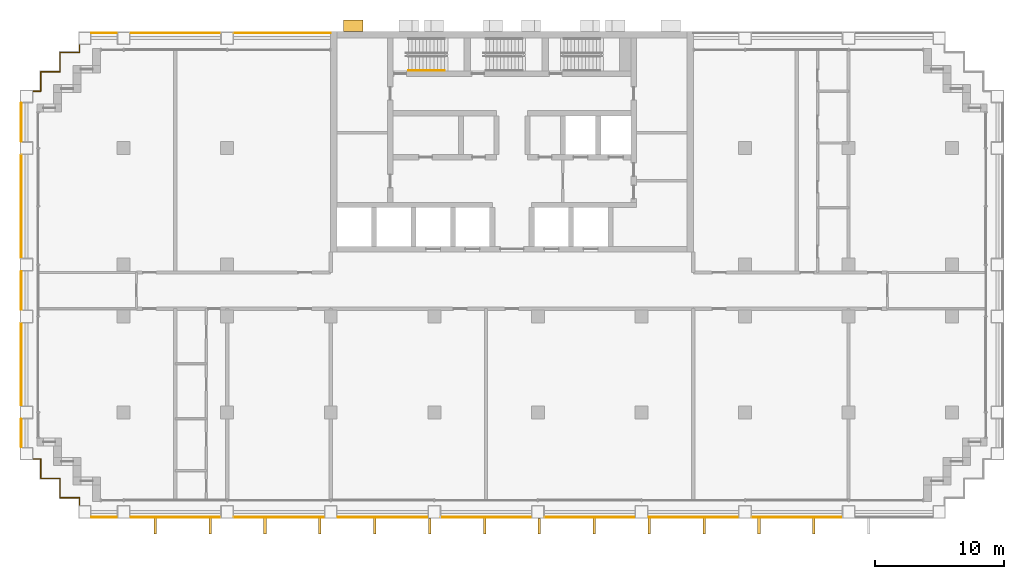
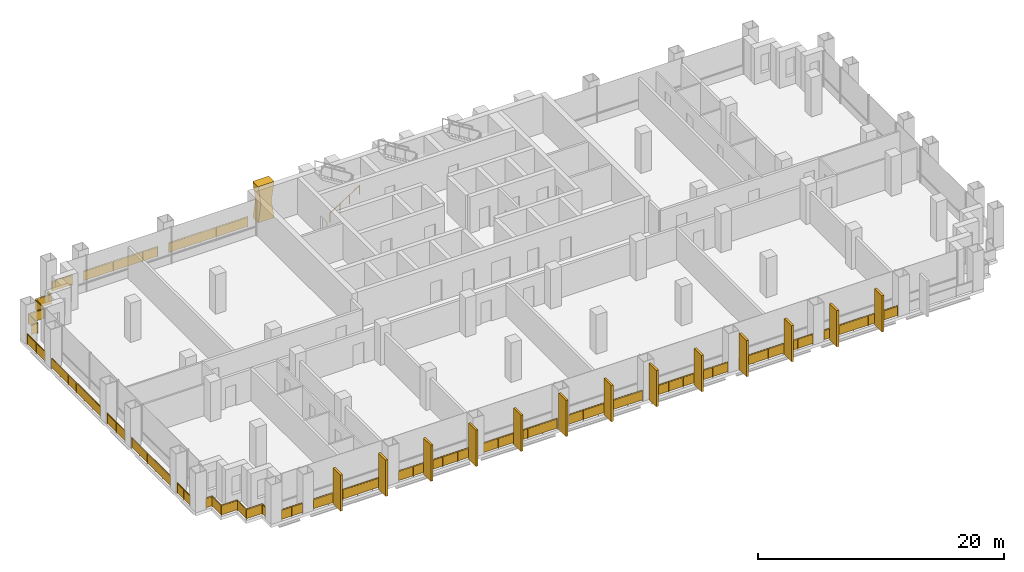
# One storey, part 11 of 13: 19 railings, 14 shading devices.
"""IFC4 building model written with IfcOpenShell, lengths in metres."""

import ifcopenshell
import ifcopenshell.guid

model = None  # the IFC model being written
_history = None  # IfcOwnerHistory: only IFC2X3 demands one
_inside = {}  # id of a spatial element -> (the spatial element, [elements in it])
_under = {}  # id of a project, library or spatial element -> (it, [spatial elements below it])
_declared = {}  # id of a project -> (the project, [libraries it declares])
_typed = {}  # id of a type object -> (the type object, [elements of that type])
_made_of = {}  # id of a material, layer set ... -> (it, [elements and type objects made of it])


def new_model(schema):
    """Start an empty IFC model of exactly this schema.

    Asked for "IFC4X3", IfcOpenShell would pick the latest addendum, in which some entities
    have other attributes; the version numbers below select the first issue.
    IFC2X3 requires an IfcOwnerHistory on every rooted entity: one is made here for all.
    """
    global model, _history
    if schema == "IFC4X3":
        model = ifcopenshell.file(schema_version=(4, 3, 0, 0))
    else:
        model = ifcopenshell.file(schema=schema)
    _inside.clear()
    _under.clear()
    _declared.clear()
    _typed.clear()
    _made_of.clear()
    _history = None
    if model.schema == "IFC2X3":
        org = make("IfcOrganization", Name="unknown")
        user = make(
            "IfcPersonAndOrganization",
            ThePerson=make("IfcPerson", FamilyName="unknown"),
            TheOrganization=org,
        )
        app = make(
            "IfcApplication",
            ApplicationDeveloper=org,
            Version="unknown",
            ApplicationFullName="unknown",
            ApplicationIdentifier="unknown",
        )
        _history = make(
            "IfcOwnerHistory",
            OwningUser=user,
            OwningApplication=app,
            ChangeAction="ADDED",
            CreationDate=0,
        )
    return model


def make(cls, **values):
    """One entity of the class cls with the attributes given. An attribute that is None is left unset."""
    return model.create_entity(
        cls, **{name: value for name, value in values.items() if value is not None}
    )


def rooted(cls, **values):
    """An entity with a GlobalId (a new one), such as an element, a storey or a relation."""
    return make(cls, GlobalId=ifcopenshell.guid.new(), OwnerHistory=_history, **values)


def si_unit(unit_type, name, prefix=None):
    """IfcSIUnit, for example si_unit("LENGTHUNIT", "METRE", prefix="MILLI")."""
    return make("IfcSIUnit", UnitType=unit_type, Prefix=prefix, Name=name)


def assignment(units):
    """IfcUnitAssignment: the units of a project."""
    return None if units is None else make("IfcUnitAssignment", Units=units)


def point(xyz):
    """IfcCartesianPoint."""
    return None if xyz is None else make("IfcCartesianPoint", Coordinates=xyz)


def direction(xyz):
    """IfcDirection."""
    return None if xyz is None else make("IfcDirection", DirectionRatios=xyz)


def frame(location, z_axis=None, x_axis=None):
    """IfcAxis2Placement3D, a coordinate frame: its origin and axes. An axis left out is left unset."""
    return make(
        "IfcAxis2Placement3D",
        Location=point(location),
        Axis=direction(z_axis),
        RefDirection=direction(x_axis),
    )


def frame_2d(location, x_axis=None):
    """IfcAxis2Placement2D, a coordinate frame in the plane: its origin and x axis."""
    return make(
        "IfcAxis2Placement2D", Location=point(location), RefDirection=direction(x_axis)
    )


def origin():
    """The frame at (0, 0, 0) with its axes left unset."""
    return frame((0.0, 0.0, 0.0))


def origin_2d():
    """The frame at (0, 0) in the plane with its x axis left unset."""
    return frame_2d((0.0, 0.0))


def place(relative_to, where):
    """IfcLocalPlacement: puts the frame where relative to a parent placement (None: the world)."""
    return make(
        "IfcLocalPlacement", PlacementRelTo=relative_to, RelativePlacement=where
    )


def context(
    kind, dimensions, precision=None, world=None, true_north=None, identifier=None
):
    """IfcGeometricRepresentationContext, for example the 3D "Model" context."""
    return make(
        "IfcGeometricRepresentationContext",
        ContextIdentifier=identifier,
        ContextType=kind,
        CoordinateSpaceDimension=dimensions,
        Precision=precision,
        WorldCoordinateSystem=world,
        TrueNorth=true_north,
    )


def subcontext(parent, identifier, kind, view, scale=None):
    """IfcGeometricRepresentationSubContext, for example "Body" below "Model"."""
    return make(
        "IfcGeometricRepresentationSubContext",
        ContextIdentifier=identifier,
        ContextType=kind,
        ParentContext=parent,
        TargetScale=scale,
        TargetView=view,
    )


def project(units=None, contexts=None):
    """IfcProject with its units and contexts."""
    return rooted(
        "IfcProject",
        Name="project",
        RepresentationContexts=contexts,
        UnitsInContext=assignment(units),
    )


def spatial(cls, under=None, at=None, **own):
    """A site, building, storey or space (cls), placed at a placement, below another one or the project."""
    s = rooted(cls, ObjectPlacement=at, **own)
    if under is not None:
        _under.setdefault(under.id(), (under, []))[1].append(s)
    return s


def polyline(points):
    """IfcPolyline through the points."""
    return make("IfcPolyline", Points=[point(p) for p in points])


def profile(cls, at=None, kind="AREA", **sizes):
    """A parametric profile (cls). Its sizes go by their IFC names, for example OverallWidth=200.0."""
    return make(cls, ProfileType=kind, Position=at, **sizes)


def rectangle(**sizes):
    """IfcRectangleProfileDef."""
    return profile("IfcRectangleProfileDef", **sizes)


def circle(**sizes):
    """IfcCircleProfileDef."""
    return profile("IfcCircleProfileDef", **sizes)


def outline(outer, holes=None, kind="AREA"):
    """IfcArbitraryClosedProfileDef: a profile drawn as a closed curve; with holes, ...WithVoids."""
    if holes is None:
        return make("IfcArbitraryClosedProfileDef", ProfileType=kind, OuterCurve=outer)
    return make(
        "IfcArbitraryProfileDefWithVoids",
        ProfileType=kind,
        OuterCurve=outer,
        InnerCurves=holes,
    )


def extrude(swept, where, along, depth):
    """IfcExtrudedAreaSolid: the profile swept, set in the frame where, extruded along a direction by depth."""
    return make(
        "IfcExtrudedAreaSolid",
        SweptArea=swept,
        Position=where,
        ExtrudedDirection=direction(along),
        Depth=depth,
    )


def shape(context_of_items, identifier, shape_type, items):
    """IfcShapeRepresentation: the items that make up one representation, for example the "Body"."""
    return make(
        "IfcShapeRepresentation",
        ContextOfItems=context_of_items,
        RepresentationIdentifier=identifier,
        RepresentationType=shape_type,
        Items=items,
    )


def material(Name=None, Category=None):
    """IfcMaterial."""
    return make("IfcMaterial", Name=Name, Category=Category)


def layer(
    of_material, thickness, ventilated=None, Name=None, Category=None, Priority=None
):
    """IfcMaterialLayer: one layer of a wall or slab, of a material (None: an air gap)."""
    return make(
        "IfcMaterialLayer",
        Material=of_material,
        LayerThickness=thickness,
        IsVentilated=ventilated,
        Name=Name,
        Category=Category,
        Priority=Priority,
    )


def layer_set(layers, Name=None):
    """IfcMaterialLayerSet."""
    return make("IfcMaterialLayerSet", MaterialLayers=layers, LayerSetName=Name)


def made_of(thing, what):
    """Note that an element or type object is made of a material, layer set ...; save() writes the relation."""
    if what is not None:
        _made_of.setdefault(what.id(), (what, []))[1].append(thing)
    return thing


def type_object(cls, material=None, **own):
    """A type object (cls), such as IfcWallType, which elements share."""
    return made_of(rooted(cls, **own), material)


def element(
    cls,
    number,
    at=None,
    inside=None,
    cuts=None,
    type_object=None,
    material=None,
    context=None,
    identifier="Body",
    shape_type=None,
    held_by="IfcProductDefinitionShape",
    body=None,
    shapes=None,
    **own,
):
    """One element of the class cls, such as IfcWall. Its Tag is "e" and its number.

    at: its placement. inside: the storey or other place that contains it. cuts: it is an
    opening in that element (IfcRelVoidsElement). A single representation is given by context,
    identifier, shape_type and body (its items); several are given by shapes. held_by: the class
    of the entity that holds the representations. save() writes the other relations.
    """
    e = rooted(cls, Tag="e%d" % number, ObjectPlacement=at, **own)
    if body is not None:
        shapes = [shape(context, identifier, shape_type, body)]
    if shapes is not None:
        e.Representation = make(held_by, Representations=shapes)
    if inside is not None:
        _inside.setdefault(inside.id(), (inside, []))[1].append(e)
    if cuts is not None:
        rooted(
            "IfcRelVoidsElement", RelatingBuildingElement=cuts, RelatedOpeningElement=e
        )
    if type_object is not None:
        _typed.setdefault(type_object.id(), (type_object, []))[1].append(e)
    return made_of(e, material)


def aggregate(whole, parts):
    """IfcRelAggregates: a whole, such as a stair, and the parts it consists of."""
    return rooted("IfcRelAggregates", RelatingObject=whole, RelatedObjects=parts)


def save(model, path):
    """Write the relations noted so far, then the file.

    IfcRelAggregates (storeys below a building ...), IfcRelContainedInSpatialStructure (elements
    in a storey), IfcRelDefinesByType, IfcRelAssociatesMaterial and IfcRelDeclares: one each for
    every whole, place, type object, material and project.
    """
    for whole, parts in _under.values():
        aggregate(whole, parts)
    for where, things in _inside.values():
        rooted(
            "IfcRelContainedInSpatialStructure",
            RelatedElements=things,
            RelatingStructure=where,
        )
    for kind, things in _typed.values():
        rooted("IfcRelDefinesByType", RelatedObjects=things, RelatingType=kind)
    for what, things in _made_of.values():
        rooted("IfcRelAssociatesMaterial", RelatedObjects=things, RelatingMaterial=what)
    for by, libraries in _declared.values():
        rooted("IfcRelDeclares", RelatingContext=by, RelatedDefinitions=libraries)
    model.write(path)


model = new_model("IFC4")

# Units and contexts
model_context = context("Model", 3, precision=1e-05, world=origin(), true_north=direction((0.0, 1.0)))
body_context = subcontext(model_context, "Body", "Model", "MODEL_VIEW")
ifc_project = project(units=[si_unit("LENGTHUNIT", "METRE"), si_unit("AREAUNIT", "SQUARE_METRE"), si_unit("VOLUMEUNIT", "CUBIC_METRE"), si_unit("PLANEANGLEUNIT", "RADIAN"), si_unit("MASSUNIT", "GRAM", prefix="KILO")], contexts=[model_context])

# Site, building, storey
site_placement = place(None, origin())
site = spatial("IfcSite", under=ifc_project, at=site_placement, CompositionType="ELEMENT")
building_placement = place(site_placement, origin())
building = spatial("IfcBuilding", under=site, at=building_placement, Name="Vidyagriha Tower", CompositionType="ELEMENT")
storey_placement = place(building_placement, frame((0.0, 0.0, 33.800048828125)))
storey = spatial("IfcBuildingStorey", under=building, at=storey_placement, Name="L08", CompositionType="ELEMENT", Elevation=33.800048828125)

# Shading devices
ifc_material_1 = material(Name="Precast concrete C40/50 with brick facing", Category="concrete")
ifc_layer_1 = layer(ifc_material_1, 1.0)
ifc_layer_set_1 = layer_set([ifc_layer_1], Name="Precast concrete C40/50 with brick facing")
shading_device_type_1 = type_object("IfcShadingDeviceType", Name="Brick-faced rear rib forking 8 degrees", PredefinedType="USERDEFINED", material=ifc_layer_set_1)
shading_device_placement = place(storey_placement, frame((-11.5, 20.449951171875, 0.0), z_axis=(0.0, 0.0, 1.0), x_axis=(-1.0, 0.0, 0.0)))
element("IfcShadingDevice", 1, at=shading_device_placement, inside=storey, type_object=shading_device_type_1, Name="Rear rib fork L08 R08.5a", ObjectType="BLADE FIN", PredefinedType="USERDEFINED", context=body_context, shape_type="SweptSolid", body=[
    extrude(outline(polyline([(0.0, 0.0), (1.5, 0.0), (1.25, 1.800048828125), (1.5, 3.599853515625), (0.0, 3.599853515625), (0.25, 1.800048828125), (0.0, 0.0)])), frame((0.0, 0.449951171875, 0.0), z_axis=(0.0, -1.0, 0.0), x_axis=(1.0, 0.0, 0.0)), (0.0, 0.0, 1.0), 0.89990234375),
])
ifc_material_2 = material(Name="Precast concrete C40/50 with brick facing", Category="concrete")
ifc_layer_2 = layer(ifc_material_2, 0.199951171875)
ifc_layer_set_2 = layer_set([ifc_layer_2], Name="Precast concrete C40/50 with brick facing")
shading_device_type_2 = type_object("IfcShadingDeviceType", Name="Brick-faced solar fin 1200", PredefinedType="USERDEFINED", material=ifc_layer_set_2)
for number, where, z_axis, x_axis, name in (
    (2, (-27.56005859375, -17.60009765625, 0.0), (0.0, 0.0, 1.0), (0.0, -1.0, 0.0), "Solar fin L08 R23.1"),
    (3, (-23.320068359375, -17.60009765625, 0.0), (0.0, 0.0, 1.0), (0.0, -1.0, 0.0), "Solar fin L08 R23.2"),
    (4, (-19.080078125, -17.60009765625, 0.0), (0.0, 0.0, 1.0), (0.0, -1.0, 0.0), "Solar fin L08 R23.3"),
    (5, (-14.840087890625, -17.60009765625, 0.0), (0.0, 0.0, 1.0), (0.0, -1.0, 0.0), "Solar fin L08 R23.4"),
    (6, (-10.60009765625, -17.60009765625, 0.0), (0.0, 0.0, 1.0), (0.0, -1.0, 0.0), "Solar fin L08 R23.5"),
    (7, (-6.360107421875, -17.60009765625, 0.0), (0.0, 0.0, 1.0), (0.0, -1.0, 0.0), "Solar fin L08 R23.6"),
    (8, (-2.1201171875, -17.60009765625, 0.0), (0.0, 0.0, 1.0), (0.0, -1.0, 0.0), "Solar fin L08 R23.7"),
    (9, (2.1201171875, -17.60009765625, 0.0), (0.0, 0.0, 1.0), (0.0, -1.0, 0.0), "Solar fin L08 R23.8"),
    (10, (6.360107421875, -17.60009765625, 0.0), (0.0, 0.0, 1.0), (0.0, -1.0, 0.0), "Solar fin L08 R23.9"),
    (11, (10.60009765625, -17.60009765625, 0.0), (0.0, 0.0, 1.0), (0.0, -1.0, 0.0), "Solar fin L08 R23.10"),
    (12, (14.840087890625, -17.60009765625, 0.0), (0.0, 0.0, 1.0), (0.0, -1.0, 0.0), "Solar fin L08 R23.11"),
    (13, (19.080078125, -17.60009765625, 0.0), (0.0, 0.0, 1.0), (0.0, -1.0, 0.0), "Solar fin L08 R23.12"),
    (14, (23.320068359375, -17.60009765625, 0.0), (0.0, 0.0, 1.0), (0.0, -1.0, 0.0), "Solar fin L08 R23.13"),
):
    element("IfcShadingDevice", number, at=place(storey_placement, frame(where, z_axis=z_axis, x_axis=x_axis)), inside=storey, type_object=shading_device_type_2, Name=name, ObjectType="SOLAR FIN", PredefinedType="USERDEFINED", context=body_context, shape_type="SweptSolid", body=[
        extrude(rectangle(XDim=1.199951171875, YDim=0.199951171875, at=frame_2d((0.60009765625, 0.0))), origin(), (0.0, 0.0, 1.0), 3.599853515625),
    ])

# Railings
ifc_material_3 = material(Name="Steel ASTM A500 Grade C black painted", Category="steel")
railing_type_1 = type_object("IfcRailingType", Name="Gallery guard 1100", PredefinedType="GUARDRAIL", material=ifc_material_3)
railing_1_placement = place(storey_placement, frame((-37.89990234375, -12.070068359375, 0.0)))
element("IfcRailing", 15, at=railing_1_placement, inside=storey, type_object=railing_type_1, Name="Gallery guard L08 1", PredefinedType="GUARDRAIL", context=body_context, shape_type="SweptSolid", body=[
    extrude(circle(Radius=0.02490234375, at=origin_2d()), frame((0.0, 0.0, 1.0751953125), z_axis=(0.0, 1.0, 0.0), x_axis=(-1.0, 0.0, 0.0)), (0.0, 0.0, 1.0), 2.14013671875),
    extrude(circle(Radius=0.02001953125, at=origin_2d()), origin(), (0.0, 0.0, 1.0), 1.050048828125),
    extrude(circle(Radius=0.02001953125, at=origin_2d()), frame((0.0, 1.070068359375, 0.0)), (0.0, 0.0, 1.0), 1.050048828125),
    extrude(circle(Radius=0.02001953125, at=origin_2d()), frame((0.0, 2.14013671875, 0.0)), (0.0, 0.0, 1.0), 1.050048828125),
    extrude(rectangle(XDim=0.010009765625, YDim=0.900146484375, at=origin_2d()), frame((0.0, 0.0, 0.550048828125), z_axis=(0.0, 1.0, 0.0), x_axis=(-1.0, 0.0, 0.0)), (0.0, 0.0, 1.0), 2.14013671875),
])
railing_2_placement = place(storey_placement, frame((-37.89990234375, -8.8701171875, 0.0)))
element("IfcRailing", 16, at=railing_2_placement, inside=storey, type_object=railing_type_1, Name="Gallery guard L08 2", PredefinedType="GUARDRAIL", context=body_context, shape_type="SweptSolid", body=[
    extrude(circle(Radius=0.02490234375, at=origin_2d()), frame((0.0, 0.0, 1.0751953125), z_axis=(0.0, 1.0, 0.0), x_axis=(-1.0, 0.0, 0.0)), (0.0, 0.0, 1.0), 6.340087890625),
    extrude(circle(Radius=0.02001953125, at=origin_2d()), origin(), (0.0, 0.0, 1.0), 1.050048828125),
    extrude(circle(Radius=0.02001953125, at=origin_2d()), frame((0.0, 1.26806640625, 0.0)), (0.0, 0.0, 1.0), 1.050048828125),
    extrude(circle(Radius=0.02001953125, at=origin_2d()), frame((0.0, 2.5361328125, 0.0)), (0.0, 0.0, 1.0), 1.050048828125),
    extrude(circle(Radius=0.02001953125, at=origin_2d()), frame((0.0, 3.803955078125, 0.0)), (0.0, 0.0, 1.0), 1.050048828125),
    extrude(circle(Radius=0.02001953125, at=origin_2d()), frame((0.0, 5.072021484375, 0.0)), (0.0, 0.0, 1.0), 1.050048828125),
    extrude(circle(Radius=0.02001953125, at=origin_2d()), frame((0.0, 6.340087890625, 0.0)), (0.0, 0.0, 1.0), 1.050048828125),
    extrude(rectangle(XDim=0.010009765625, YDim=0.900146484375, at=origin_2d()), frame((0.0, 0.0, 0.550048828125), z_axis=(0.0, 1.0, 0.0), x_axis=(-1.0, 0.0, 0.0)), (0.0, 0.0, 1.0), 6.340087890625),
])
railing_3_placement = place(storey_placement, frame((-37.89990234375, -1.469970703125, 0.0)))
element("IfcRailing", 17, at=railing_3_placement, inside=storey, type_object=railing_type_1, Name="Gallery guard L08 3", PredefinedType="GUARDRAIL", context=body_context, shape_type="SweptSolid", body=[
    extrude(circle(Radius=0.02490234375, at=origin_2d()), frame((0.0, 0.0, 1.0751953125), z_axis=(0.0, 1.0, 0.0), x_axis=(-1.0, 0.0, 0.0)), (0.0, 0.0, 1.0), 2.93994140625),
    extrude(circle(Radius=0.02001953125, at=origin_2d()), origin(), (0.0, 0.0, 1.0), 1.050048828125),
    extrude(circle(Radius=0.02001953125, at=origin_2d()), frame((0.0, 1.469970703125, 0.0)), (0.0, 0.0, 1.0), 1.050048828125),
    extrude(circle(Radius=0.02001953125, at=origin_2d()), frame((0.0, 2.93994140625, 0.0)), (0.0, 0.0, 1.0), 1.050048828125),
    extrude(rectangle(XDim=0.010009765625, YDim=0.900146484375, at=origin_2d()), frame((0.0, 0.0, 0.550048828125), z_axis=(0.0, 1.0, 0.0), x_axis=(-1.0, 0.0, 0.0)), (0.0, 0.0, 1.0), 2.93994140625),
])
railing_4_placement = place(storey_placement, frame((-37.89990234375, 2.530029296875, 0.0)))
element("IfcRailing", 18, at=railing_4_placement, inside=storey, type_object=railing_type_1, Name="Gallery guard L08 4", PredefinedType="GUARDRAIL", context=body_context, shape_type="SweptSolid", body=[
    extrude(circle(Radius=0.02490234375, at=origin_2d()), frame((0.0, 0.0, 1.0751953125), z_axis=(0.0, 1.0, 0.0), x_axis=(-1.0, 0.0, 0.0)), (0.0, 0.0, 1.0), 7.93994140625),
    extrude(circle(Radius=0.02001953125, at=origin_2d()), origin(), (0.0, 0.0, 1.0), 1.050048828125),
    extrude(circle(Radius=0.02001953125, at=origin_2d()), frame((0.0, 1.3232421875, 0.0)), (0.0, 0.0, 1.0), 1.050048828125),
    extrude(circle(Radius=0.02001953125, at=origin_2d()), frame((0.0, 2.646728515625, 0.0)), (0.0, 0.0, 1.0), 1.050048828125),
    extrude(circle(Radius=0.02001953125, at=origin_2d()), frame((0.0, 3.969970703125, 0.0)), (0.0, 0.0, 1.0), 1.050048828125),
    extrude(circle(Radius=0.02001953125, at=origin_2d()), frame((0.0, 5.293212890625, 0.0)), (0.0, 0.0, 1.0), 1.050048828125),
    extrude(circle(Radius=0.02001953125, at=origin_2d()), frame((0.0, 6.61669921875, 0.0)), (0.0, 0.0, 1.0), 1.050048828125),
    extrude(circle(Radius=0.02001953125, at=origin_2d()), frame((0.0, 7.93994140625, 0.0)), (0.0, 0.0, 1.0), 1.050048828125),
    extrude(rectangle(XDim=0.010009765625, YDim=0.900146484375, at=origin_2d()), frame((0.0, 0.0, 0.550048828125), z_axis=(0.0, 1.0, 0.0), x_axis=(-1.0, 0.0, 0.0)), (0.0, 0.0, 1.0), 7.93994140625),
])
railing_5_placement = place(storey_placement, frame((-37.89990234375, 11.530029296875, 0.0)))
element("IfcRailing", 19, at=railing_5_placement, inside=storey, type_object=railing_type_1, Name="Gallery guard L08 5", PredefinedType="GUARDRAIL", context=body_context, shape_type="SweptSolid", body=[
    extrude(circle(Radius=0.02490234375, at=origin_2d()), frame((0.0, 0.0, 1.0751953125), z_axis=(0.0, 1.0, 0.0), x_axis=(-1.0, 0.0, 0.0)), (0.0, 0.0, 1.0), 2.93994140625),
    extrude(circle(Radius=0.02001953125, at=origin_2d()), origin(), (0.0, 0.0, 1.0), 1.050048828125),
    extrude(circle(Radius=0.02001953125, at=origin_2d()), frame((0.0, 1.469970703125, 0.0)), (0.0, 0.0, 1.0), 1.050048828125),
    extrude(circle(Radius=0.02001953125, at=origin_2d()), frame((0.0, 2.93994140625, 0.0)), (0.0, 0.0, 1.0), 1.050048828125),
    extrude(rectangle(XDim=0.010009765625, YDim=0.900146484375, at=origin_2d()), frame((0.0, 0.0, 0.550048828125), z_axis=(0.0, 1.0, 0.0), x_axis=(-1.0, 0.0, 0.0)), (0.0, 0.0, 1.0), 2.93994140625),
])
railing_6_placement = place(storey_placement, frame((-33.39990234375, -16.570068359375, 0.0)))
element("IfcRailing", 20, at=railing_6_placement, inside=storey, type_object=railing_type_1, Name="Gallery guard L08 6", PredefinedType="GUARDRAIL", context=body_context, shape_type="SweptSolid", body=[
    extrude(circle(Radius=0.02490234375, at=origin_2d()), frame((0.0, 0.0, 1.0751953125), z_axis=(0.0, 1.0, 0.0), x_axis=(-1.0, 0.0, 0.0)), (0.0, 0.0, 1.0), 0.570068359375),
    extrude(circle(Radius=0.02490234375, at=origin_2d()), frame((0.0, 0.570068359375, 1.0751953125), z_axis=(-1.0, 0.0, 0.0), x_axis=(0.0, -1.0, 0.0)), (0.0, 0.0, 1.0), 1.5),
    extrude(circle(Radius=0.02490234375, at=origin_2d()), frame((-1.5, 0.570068359375, 1.0751953125), z_axis=(0.0, 1.0, 0.0), x_axis=(-1.0, 0.0, 0.0)), (0.0, 0.0, 1.0), 1.5),
    extrude(circle(Radius=0.02490234375, at=origin_2d()), frame((-1.5, 2.070068359375, 1.0751953125), z_axis=(-1.0, 0.0, 0.0), x_axis=(0.0, -1.0, 0.0)), (0.0, 0.0, 1.0), 1.5),
    extrude(circle(Radius=0.02490234375, at=origin_2d()), frame((-3.0, 2.070068359375, 1.0751953125), z_axis=(0.0, 1.0, 0.0), x_axis=(-1.0, 0.0, 0.0)), (0.0, 0.0, 1.0), 1.5),
    extrude(circle(Radius=0.02490234375, at=origin_2d()), frame((-3.0, 3.570068359375, 1.0751953125), z_axis=(-1.0, 0.0, 0.0), x_axis=(0.0, -1.0, 0.0)), (0.0, 0.0, 1.0), 0.570068359375),
    extrude(circle(Radius=0.02001953125, at=origin_2d()), origin(), (0.0, 0.0, 1.0), 1.050048828125),
    extrude(circle(Radius=0.02001953125, at=origin_2d()), frame((0.0, 0.570068359375, 0.0)), (0.0, 0.0, 1.0), 1.050048828125),
    extrude(circle(Radius=0.02001953125, at=origin_2d()), frame((-1.5, 0.570068359375, 0.0)), (0.0, 0.0, 1.0), 1.050048828125),
    extrude(circle(Radius=0.02001953125, at=origin_2d()), frame((-1.5, 2.070068359375, 0.0)), (0.0, 0.0, 1.0), 1.050048828125),
    extrude(circle(Radius=0.02001953125, at=origin_2d()), frame((-3.0, 2.070068359375, 0.0)), (0.0, 0.0, 1.0), 1.050048828125),
    extrude(circle(Radius=0.02001953125, at=origin_2d()), frame((-3.0, 3.570068359375, 0.0)), (0.0, 0.0, 1.0), 1.050048828125),
    extrude(circle(Radius=0.02001953125, at=origin_2d()), frame((-3.570068359375, 3.570068359375, 0.0)), (0.0, 0.0, 1.0), 1.050048828125),
    extrude(rectangle(XDim=0.010009765625, YDim=0.900146484375, at=origin_2d()), frame((0.0, 0.0, 0.550048828125), z_axis=(0.0, 1.0, 0.0), x_axis=(-1.0, 0.0, 0.0)), (0.0, 0.0, 1.0), 0.570068359375),
    extrude(rectangle(XDim=0.010009765625, YDim=0.900146484375, at=origin_2d()), frame((0.0, 0.570068359375, 0.550048828125), z_axis=(-1.0, 0.0, 0.0), x_axis=(0.0, -1.0, 0.0)), (0.0, 0.0, 1.0), 1.5),
    extrude(rectangle(XDim=0.010009765625, YDim=0.900146484375, at=origin_2d()), frame((-1.5, 0.570068359375, 0.550048828125), z_axis=(0.0, 1.0, 0.0), x_axis=(-1.0, 0.0, 0.0)), (0.0, 0.0, 1.0), 1.5),
    extrude(rectangle(XDim=0.010009765625, YDim=0.900146484375, at=origin_2d()), frame((-1.5, 2.070068359375, 0.550048828125), z_axis=(-1.0, 0.0, 0.0), x_axis=(0.0, -1.0, 0.0)), (0.0, 0.0, 1.0), 1.5),
    extrude(rectangle(XDim=0.010009765625, YDim=0.900146484375, at=origin_2d()), frame((-3.0, 2.070068359375, 0.550048828125), z_axis=(0.0, 1.0, 0.0), x_axis=(-1.0, 0.0, 0.0)), (0.0, 0.0, 1.0), 1.5),
    extrude(rectangle(XDim=0.010009765625, YDim=0.900146484375, at=origin_2d()), frame((-3.0, 3.570068359375, 0.550048828125), z_axis=(-1.0, 0.0, 0.0), x_axis=(0.0, -1.0, 0.0)), (0.0, 0.0, 1.0), 0.570068359375),
])
railing_7_placement = place(storey_placement, frame((-36.969970703125, 15.39990234375, 0.0)))
element("IfcRailing", 21, at=railing_7_placement, inside=storey, type_object=railing_type_1, Name="Gallery guard L08 7", PredefinedType="GUARDRAIL", context=body_context, shape_type="SweptSolid", body=[
    extrude(circle(Radius=0.02490234375, at=origin_2d()), frame((0.0, 0.0, 1.0751953125), z_axis=(1.0, 0.0, 0.0), x_axis=(0.0, 1.0, 0.0)), (0.0, 0.0, 1.0), 0.570068359375),
    extrude(circle(Radius=0.02490234375, at=origin_2d()), frame((0.570068359375, 0.0, 1.0751953125), z_axis=(0.0, 1.0, 0.0), x_axis=(-1.0, 0.0, 0.0)), (0.0, 0.0, 1.0), 1.5),
    extrude(circle(Radius=0.02490234375, at=origin_2d()), frame((0.570068359375, 1.5, 1.0751953125), z_axis=(1.0, 0.0, 0.0), x_axis=(0.0, 1.0, 0.0)), (0.0, 0.0, 1.0), 1.5),
    extrude(circle(Radius=0.02490234375, at=origin_2d()), frame((2.070068359375, 1.5, 1.0751953125), z_axis=(0.0, 1.0, 0.0), x_axis=(-1.0, 0.0, 0.0)), (0.0, 0.0, 1.0), 1.5),
    extrude(circle(Radius=0.02490234375, at=origin_2d()), frame((2.070068359375, 3.0, 1.0751953125), z_axis=(1.0, 0.0, 0.0), x_axis=(0.0, 1.0, 0.0)), (0.0, 0.0, 1.0), 1.5),
    extrude(circle(Radius=0.02490234375, at=origin_2d()), frame((3.570068359375, 3.0, 1.0751953125), z_axis=(0.0, 1.0, 0.0), x_axis=(-1.0, 0.0, 0.0)), (0.0, 0.0, 1.0), 0.570068359375),
    extrude(circle(Radius=0.02001953125, at=origin_2d()), origin(), (0.0, 0.0, 1.0), 1.050048828125),
    extrude(circle(Radius=0.02001953125, at=origin_2d()), frame((0.570068359375, 0.0, 0.0)), (0.0, 0.0, 1.0), 1.050048828125),
    extrude(circle(Radius=0.02001953125, at=origin_2d()), frame((0.570068359375, 1.5, 0.0)), (0.0, 0.0, 1.0), 1.050048828125),
    extrude(circle(Radius=0.02001953125, at=origin_2d()), frame((2.070068359375, 1.5, 0.0)), (0.0, 0.0, 1.0), 1.050048828125),
    extrude(circle(Radius=0.02001953125, at=origin_2d()), frame((2.070068359375, 3.0, 0.0)), (0.0, 0.0, 1.0), 1.050048828125),
    extrude(circle(Radius=0.02001953125, at=origin_2d()), frame((3.570068359375, 3.0, 0.0)), (0.0, 0.0, 1.0), 1.050048828125),
    extrude(circle(Radius=0.02001953125, at=origin_2d()), frame((3.570068359375, 3.570068359375, 0.0)), (0.0, 0.0, 1.0), 1.050048828125),
    extrude(rectangle(XDim=0.010009765625, YDim=0.900146484375, at=origin_2d()), frame((0.0, 0.0, 0.550048828125), z_axis=(1.0, 0.0, 0.0), x_axis=(0.0, 1.0, 0.0)), (0.0, 0.0, 1.0), 0.570068359375),
    extrude(rectangle(XDim=0.010009765625, YDim=0.900146484375, at=origin_2d()), frame((0.570068359375, 0.0, 0.550048828125), z_axis=(0.0, 1.0, 0.0), x_axis=(-1.0, 0.0, 0.0)), (0.0, 0.0, 1.0), 1.5),
    extrude(rectangle(XDim=0.010009765625, YDim=0.900146484375, at=origin_2d()), frame((0.570068359375, 1.5, 0.550048828125), z_axis=(1.0, 0.0, 0.0), x_axis=(0.0, 1.0, 0.0)), (0.0, 0.0, 1.0), 1.5),
    extrude(rectangle(XDim=0.010009765625, YDim=0.900146484375, at=origin_2d()), frame((2.070068359375, 1.5, 0.550048828125), z_axis=(0.0, 1.0, 0.0), x_axis=(-1.0, 0.0, 0.0)), (0.0, 0.0, 1.0), 1.5),
    extrude(rectangle(XDim=0.010009765625, YDim=0.900146484375, at=origin_2d()), frame((2.070068359375, 3.0, 0.550048828125), z_axis=(1.0, 0.0, 0.0), x_axis=(0.0, 1.0, 0.0)), (0.0, 0.0, 1.0), 1.5),
    extrude(rectangle(XDim=0.010009765625, YDim=0.900146484375, at=origin_2d()), frame((3.570068359375, 3.0, 0.550048828125), z_axis=(0.0, 1.0, 0.0), x_axis=(-1.0, 0.0, 0.0)), (0.0, 0.0, 1.0), 0.570068359375),
])
railing_8_placement = place(storey_placement, frame((-30.530029296875, -17.5, 0.0)))
element("IfcRailing", 22, at=railing_8_placement, inside=storey, type_object=railing_type_1, Name="Gallery guard L08 8", PredefinedType="GUARDRAIL", context=body_context, shape_type="SweptSolid", body=[
    extrude(circle(Radius=0.02490234375, at=origin_2d()), frame((0.0, 0.0, 1.0751953125), z_axis=(-1.0, 0.0, 0.0), x_axis=(0.0, -1.0, 0.0)), (0.0, 0.0, 1.0), 1.93994140625),
    extrude(circle(Radius=0.02001953125, at=origin_2d()), origin(), (0.0, 0.0, 1.0), 1.050048828125),
    extrude(circle(Radius=0.02001953125, at=origin_2d()), frame((-0.969970703125, 0.0, 0.0)), (0.0, 0.0, 1.0), 1.050048828125),
    extrude(circle(Radius=0.02001953125, at=origin_2d()), frame((-1.93994140625, 0.0, 0.0)), (0.0, 0.0, 1.0), 1.050048828125),
    extrude(rectangle(XDim=0.010009765625, YDim=0.900146484375, at=origin_2d()), frame((0.0, 0.0, 0.550048828125), z_axis=(-1.0, 0.0, 0.0), x_axis=(0.0, -1.0, 0.0)), (0.0, 0.0, 1.0), 1.93994140625),
])
railing_9_placement = place(storey_placement, frame((-32.469970703125, 19.89990234375, 0.0)))
element("IfcRailing", 23, at=railing_9_placement, inside=storey, type_object=railing_type_1, Name="Gallery guard L08 9", PredefinedType="GUARDRAIL", context=body_context, shape_type="SweptSolid", body=[
    extrude(circle(Radius=0.02490234375, at=origin_2d()), frame((0.0, 0.0, 1.0751953125), z_axis=(1.0, 0.0, 0.0), x_axis=(0.0, 1.0, 0.0)), (0.0, 0.0, 1.0), 1.93994140625),
    extrude(circle(Radius=0.02001953125, at=origin_2d()), origin(), (0.0, 0.0, 1.0), 1.050048828125),
    extrude(circle(Radius=0.02001953125, at=origin_2d()), frame((0.969970703125, 0.0, 0.0)), (0.0, 0.0, 1.0), 1.050048828125),
    extrude(circle(Radius=0.02001953125, at=origin_2d()), frame((1.93994140625, 0.0, 0.0)), (0.0, 0.0, 1.0), 1.050048828125),
    extrude(rectangle(XDim=0.010009765625, YDim=0.900146484375, at=origin_2d()), frame((0.0, 0.0, 0.550048828125), z_axis=(1.0, 0.0, 0.0), x_axis=(0.0, 1.0, 0.0)), (0.0, 0.0, 1.0), 1.93994140625),
])
railing_10_placement = place(storey_placement, frame((-22.530029296875, -17.5, 0.0)))
element("IfcRailing", 24, at=railing_10_placement, inside=storey, type_object=railing_type_1, Name="Gallery guard L08 10", PredefinedType="GUARDRAIL", context=body_context, shape_type="SweptSolid", body=[
    extrude(circle(Radius=0.02490234375, at=origin_2d()), frame((0.0, 0.0, 1.0751953125), z_axis=(-1.0, 0.0, 0.0), x_axis=(0.0, -1.0, 0.0)), (0.0, 0.0, 1.0), 6.93994140625),
    extrude(circle(Radius=0.02001953125, at=origin_2d()), origin(), (0.0, 0.0, 1.0), 1.050048828125),
    extrude(circle(Radius=0.02001953125, at=origin_2d()), frame((-1.387939453125, 0.0, 0.0)), (0.0, 0.0, 1.0), 1.050048828125),
    extrude(circle(Radius=0.02001953125, at=origin_2d()), frame((-2.77587890625, 0.0, 0.0)), (0.0, 0.0, 1.0), 1.050048828125),
    extrude(circle(Radius=0.02001953125, at=origin_2d()), frame((-4.1640625, 0.0, 0.0)), (0.0, 0.0, 1.0), 1.050048828125),
    extrude(circle(Radius=0.02001953125, at=origin_2d()), frame((-5.552001953125, 0.0, 0.0)), (0.0, 0.0, 1.0), 1.050048828125),
    extrude(circle(Radius=0.02001953125, at=origin_2d()), frame((-6.93994140625, 0.0, 0.0)), (0.0, 0.0, 1.0), 1.050048828125),
    extrude(rectangle(XDim=0.010009765625, YDim=0.900146484375, at=origin_2d()), frame((0.0, 0.0, 0.550048828125), z_axis=(-1.0, 0.0, 0.0), x_axis=(0.0, -1.0, 0.0)), (0.0, 0.0, 1.0), 6.93994140625),
])
railing_11_placement = place(storey_placement, frame((-29.469970703125, 19.89990234375, 0.0)))
element("IfcRailing", 25, at=railing_11_placement, inside=storey, type_object=railing_type_1, Name="Gallery guard L08 11", PredefinedType="GUARDRAIL", context=body_context, shape_type="SweptSolid", body=[
    extrude(circle(Radius=0.02490234375, at=origin_2d()), frame((0.0, 0.0, 1.0751953125), z_axis=(1.0, 0.0, 0.0), x_axis=(0.0, 1.0, 0.0)), (0.0, 0.0, 1.0), 6.93994140625),
    extrude(circle(Radius=0.02001953125, at=origin_2d()), origin(), (0.0, 0.0, 1.0), 1.050048828125),
    extrude(circle(Radius=0.02001953125, at=origin_2d()), frame((1.387939453125, 0.0, 0.0)), (0.0, 0.0, 1.0), 1.050048828125),
    extrude(circle(Radius=0.02001953125, at=origin_2d()), frame((2.77587890625, 0.0, 0.0)), (0.0, 0.0, 1.0), 1.050048828125),
    extrude(circle(Radius=0.02001953125, at=origin_2d()), frame((4.1640625, 0.0, 0.0)), (0.0, 0.0, 1.0), 1.050048828125),
    extrude(circle(Radius=0.02001953125, at=origin_2d()), frame((5.552001953125, 0.0, 0.0)), (0.0, 0.0, 1.0), 1.050048828125),
    extrude(circle(Radius=0.02001953125, at=origin_2d()), frame((6.93994140625, 0.0, 0.0)), (0.0, 0.0, 1.0), 1.050048828125),
    extrude(rectangle(XDim=0.010009765625, YDim=0.900146484375, at=origin_2d()), frame((0.0, 0.0, 0.550048828125), z_axis=(1.0, 0.0, 0.0), x_axis=(0.0, 1.0, 0.0)), (0.0, 0.0, 1.0), 6.93994140625),
])
railing_12_placement = place(storey_placement, frame((-14.530029296875, -17.5, 0.0)))
element("IfcRailing", 26, at=railing_12_placement, inside=storey, type_object=railing_type_1, Name="Gallery guard L08 12", PredefinedType="GUARDRAIL", context=body_context, shape_type="SweptSolid", body=[
    extrude(circle(Radius=0.02490234375, at=origin_2d()), frame((0.0, 0.0, 1.0751953125), z_axis=(-1.0, 0.0, 0.0), x_axis=(0.0, -1.0, 0.0)), (0.0, 0.0, 1.0), 6.93994140625),
    extrude(circle(Radius=0.02001953125, at=origin_2d()), origin(), (0.0, 0.0, 1.0), 1.050048828125),
    extrude(circle(Radius=0.02001953125, at=origin_2d()), frame((-1.387939453125, 0.0, 0.0)), (0.0, 0.0, 1.0), 1.050048828125),
    extrude(circle(Radius=0.02001953125, at=origin_2d()), frame((-2.77587890625, 0.0, 0.0)), (0.0, 0.0, 1.0), 1.050048828125),
    extrude(circle(Radius=0.02001953125, at=origin_2d()), frame((-4.1640625, 0.0, 0.0)), (0.0, 0.0, 1.0), 1.050048828125),
    extrude(circle(Radius=0.02001953125, at=origin_2d()), frame((-5.552001953125, 0.0, 0.0)), (0.0, 0.0, 1.0), 1.050048828125),
    extrude(circle(Radius=0.02001953125, at=origin_2d()), frame((-6.93994140625, 0.0, 0.0)), (0.0, 0.0, 1.0), 1.050048828125),
    extrude(rectangle(XDim=0.010009765625, YDim=0.900146484375, at=origin_2d()), frame((0.0, 0.0, 0.550048828125), z_axis=(-1.0, 0.0, 0.0), x_axis=(0.0, -1.0, 0.0)), (0.0, 0.0, 1.0), 6.93994140625),
])
railing_13_placement = place(storey_placement, frame((-21.469970703125, 19.89990234375, 0.0)))
element("IfcRailing", 27, at=railing_13_placement, inside=storey, type_object=railing_type_1, Name="Gallery guard L08 13", PredefinedType="GUARDRAIL", context=body_context, shape_type="SweptSolid", body=[
    extrude(circle(Radius=0.02490234375, at=origin_2d()), frame((0.0, 0.0, 1.0751953125), z_axis=(1.0, 0.0, 0.0), x_axis=(0.0, 1.0, 0.0)), (0.0, 0.0, 1.0), 7.43994140625),
    extrude(circle(Radius=0.02001953125, at=origin_2d()), origin(), (0.0, 0.0, 1.0), 1.050048828125),
    extrude(circle(Radius=0.02001953125, at=origin_2d()), frame((1.488037109375, 0.0, 0.0)), (0.0, 0.0, 1.0), 1.050048828125),
    extrude(circle(Radius=0.02001953125, at=origin_2d()), frame((2.97607421875, 0.0, 0.0)), (0.0, 0.0, 1.0), 1.050048828125),
    extrude(circle(Radius=0.02001953125, at=origin_2d()), frame((4.4638671875, 0.0, 0.0)), (0.0, 0.0, 1.0), 1.050048828125),
    extrude(circle(Radius=0.02001953125, at=origin_2d()), frame((5.951904296875, 0.0, 0.0)), (0.0, 0.0, 1.0), 1.050048828125),
    extrude(circle(Radius=0.02001953125, at=origin_2d()), frame((7.43994140625, 0.0, 0.0)), (0.0, 0.0, 1.0), 1.050048828125),
    extrude(rectangle(XDim=0.010009765625, YDim=0.900146484375, at=origin_2d()), frame((0.0, 0.0, 0.550048828125), z_axis=(1.0, 0.0, 0.0), x_axis=(0.0, 1.0, 0.0)), (0.0, 0.0, 1.0), 7.43994140625),
])
for number, where, name in (
    (28, (-6.530029296875, -17.5, 0.0), "Gallery guard L08 14"),
    (29, (1.469970703125, -17.5, 0.0), "Gallery guard L08 15"),
    (30, (9.469970703125, -17.5, 0.0), "Gallery guard L08 16"),
    (31, (17.469970703125, -17.5, 0.0), "Gallery guard L08 17"),
    (32, (25.469970703125, -17.5, 0.0), "Gallery guard L08 19"),
):
    element("IfcRailing", number, at=place(storey_placement, frame(where)), inside=storey, type_object=railing_type_1, Name=name, PredefinedType="GUARDRAIL", context=body_context, shape_type="SweptSolid", body=[
        extrude(circle(Radius=0.02490234375, at=origin_2d()), frame((0.0, 0.0, 1.0751953125), z_axis=(-1.0, 0.0, 0.0), x_axis=(0.0, -1.0, 0.0)), (0.0, 0.0, 1.0), 6.93994140625),
        extrude(circle(Radius=0.02001953125, at=origin_2d()), origin(), (0.0, 0.0, 1.0), 1.050048828125),
        extrude(circle(Radius=0.02001953125, at=origin_2d()), frame((-1.387939453125, 0.0, 0.0)), (0.0, 0.0, 1.0), 1.050048828125),
        extrude(circle(Radius=0.02001953125, at=origin_2d()), frame((-2.77587890625, 0.0, 0.0)), (0.0, 0.0, 1.0), 1.050048828125),
        extrude(circle(Radius=0.02001953125, at=origin_2d()), frame((-4.1640625, 0.0, 0.0)), (0.0, 0.0, 1.0), 1.050048828125),
        extrude(circle(Radius=0.02001953125, at=origin_2d()), frame((-5.552001953125, 0.0, 0.0)), (0.0, 0.0, 1.0), 1.050048828125),
        extrude(circle(Radius=0.02001953125, at=origin_2d()), frame((-6.93994140625, 0.0, 0.0)), (0.0, 0.0, 1.0), 1.050048828125),
        extrude(rectangle(XDim=0.010009765625, YDim=0.900146484375, at=origin_2d()), frame((0.0, 0.0, 0.550048828125), z_axis=(-1.0, 0.0, 0.0), x_axis=(0.0, -1.0, 0.0)), (0.0, 0.0, 1.0), 6.93994140625),
    ])
ifc_material_4 = material(Name="Steel ASTM A500 Grade C", Category="steel")
railing_type_2 = type_object("IfcRailingType", Name="Stair handrail 900 mm, steel", PredefinedType="HANDRAIL", material=ifc_material_4)
railing_14_placement = place(storey_placement, frame((-8.0, 17.0, 0.17724609375)))
element("IfcRailing", 33, at=railing_14_placement, inside=storey, type_object=railing_type_2, Name="L08 ST1 stair handrail 1", PredefinedType="HANDRAIL", context=body_context, shape_type="SweptSolid", body=[
    extrude(circle(Radius=0.02392578125, at=origin_2d()), frame((0.0, 0.0, 0.8759765625), z_axis=(0.844908973607, 0.0, 0.534910110503), x_axis=(0.0, 1.0, 0.0)), (0.0, 0.0, 1.0), 3.31396484375),
    extrude(circle(Radius=0.02099609375, at=origin_2d()), origin(), (0.0, 0.0, 1.0), 0.851806640625),
    extrude(circle(Radius=0.02099609375, at=origin_2d()), frame((0.933349609375, 0.0, 0.5908203125)), (0.0, 0.0, 1.0), 0.851806640625),
    extrude(circle(Radius=0.02099609375, at=origin_2d()), frame((1.86669921875, 0.0, 1.181884765625)), (0.0, 0.0, 1.0), 0.851806640625),
    extrude(circle(Radius=0.02099609375, at=origin_2d()), frame((2.800048828125, 0.0, 1.772705078125)), (0.0, 0.0, 1.0), 0.851806640625),
])

save(model, "model.ifc")
